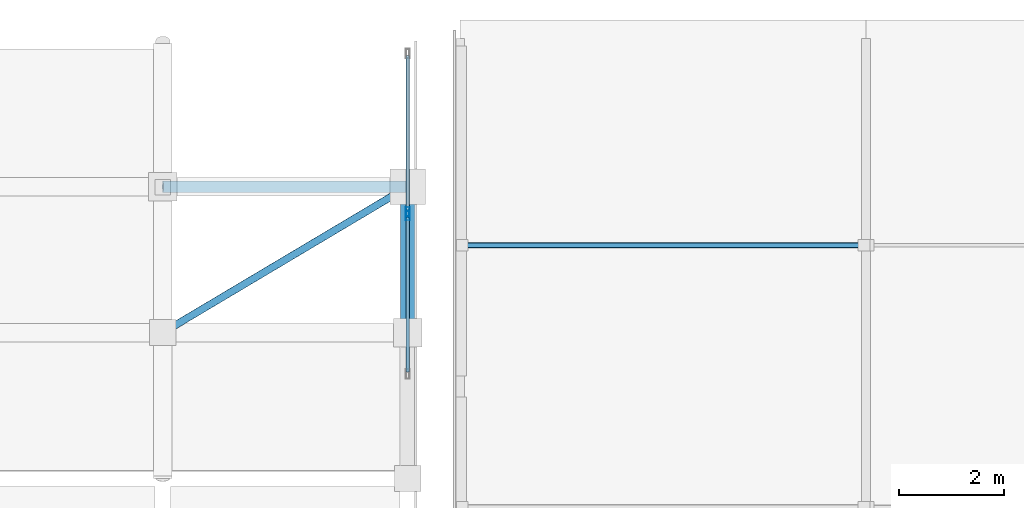
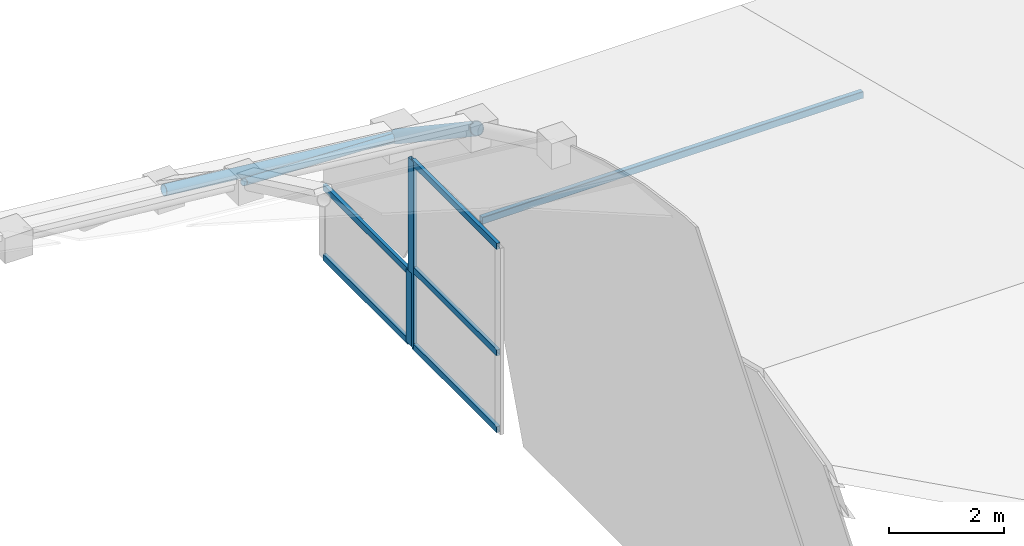
# One storey, part 33 of 65: 10 members, 1 beam, 2 elements without a shape of their own.
"""IFC4 building model written with IfcOpenShell, lengths in metres."""

import ifcopenshell
import ifcopenshell.guid

model = None  # the IFC model being written
_history = None  # IfcOwnerHistory: only IFC2X3 demands one
_inside = {}  # id of a spatial element -> (the spatial element, [elements in it])
_under = {}  # id of a project, library or spatial element -> (it, [spatial elements below it])
_declared = {}  # id of a project -> (the project, [libraries it declares])
_typed = {}  # id of a type object -> (the type object, [elements of that type])
_made_of = {}  # id of a material, layer set ... -> (it, [elements and type objects made of it])


def new_model(schema):
    """Start an empty IFC model of exactly this schema.

    Asked for "IFC4X3", IfcOpenShell would pick the latest addendum, in which some entities
    have other attributes; the version numbers below select the first issue.
    IFC2X3 requires an IfcOwnerHistory on every rooted entity: one is made here for all.
    """
    global model, _history
    if schema == "IFC4X3":
        model = ifcopenshell.file(schema_version=(4, 3, 0, 0))
    else:
        model = ifcopenshell.file(schema=schema)
    _inside.clear()
    _under.clear()
    _declared.clear()
    _typed.clear()
    _made_of.clear()
    _history = None
    if model.schema == "IFC2X3":
        org = make("IfcOrganization", Name="unknown")
        user = make(
            "IfcPersonAndOrganization",
            ThePerson=make("IfcPerson", FamilyName="unknown"),
            TheOrganization=org,
        )
        app = make(
            "IfcApplication",
            ApplicationDeveloper=org,
            Version="unknown",
            ApplicationFullName="unknown",
            ApplicationIdentifier="unknown",
        )
        _history = make(
            "IfcOwnerHistory",
            OwningUser=user,
            OwningApplication=app,
            ChangeAction="ADDED",
            CreationDate=0,
        )
    return model


def make(cls, **values):
    """One entity of the class cls with the attributes given. An attribute that is None is left unset."""
    return model.create_entity(
        cls, **{name: value for name, value in values.items() if value is not None}
    )


def rooted(cls, **values):
    """An entity with a GlobalId (a new one), such as an element, a storey or a relation."""
    return make(cls, GlobalId=ifcopenshell.guid.new(), OwnerHistory=_history, **values)


def si_unit(unit_type, name, prefix=None):
    """IfcSIUnit, for example si_unit("LENGTHUNIT", "METRE", prefix="MILLI")."""
    return make("IfcSIUnit", UnitType=unit_type, Prefix=prefix, Name=name)


def assignment(units):
    """IfcUnitAssignment: the units of a project."""
    return None if units is None else make("IfcUnitAssignment", Units=units)


def point(xyz):
    """IfcCartesianPoint."""
    return None if xyz is None else make("IfcCartesianPoint", Coordinates=xyz)


def direction(xyz):
    """IfcDirection."""
    return None if xyz is None else make("IfcDirection", DirectionRatios=xyz)


def frame(location, z_axis=None, x_axis=None):
    """IfcAxis2Placement3D, a coordinate frame: its origin and axes. An axis left out is left unset."""
    return make(
        "IfcAxis2Placement3D",
        Location=point(location),
        Axis=direction(z_axis),
        RefDirection=direction(x_axis),
    )


def frame_2d(location, x_axis=None):
    """IfcAxis2Placement2D, a coordinate frame in the plane: its origin and x axis."""
    return make(
        "IfcAxis2Placement2D", Location=point(location), RefDirection=direction(x_axis)
    )


def origin():
    """The frame at (0, 0, 0) with its axes left unset."""
    return frame((0.0, 0.0, 0.0))


def origin_2d():
    """The frame at (0, 0) in the plane with its x axis left unset."""
    return frame_2d((0.0, 0.0))


def place(relative_to, where):
    """IfcLocalPlacement: puts the frame where relative to a parent placement (None: the world)."""
    return make(
        "IfcLocalPlacement", PlacementRelTo=relative_to, RelativePlacement=where
    )


def context(
    kind, dimensions, precision=None, world=None, true_north=None, identifier=None
):
    """IfcGeometricRepresentationContext, for example the 3D "Model" context."""
    return make(
        "IfcGeometricRepresentationContext",
        ContextIdentifier=identifier,
        ContextType=kind,
        CoordinateSpaceDimension=dimensions,
        Precision=precision,
        WorldCoordinateSystem=world,
        TrueNorth=true_north,
    )


def subcontext(parent, identifier, kind, view, scale=None):
    """IfcGeometricRepresentationSubContext, for example "Body" below "Model"."""
    return make(
        "IfcGeometricRepresentationSubContext",
        ContextIdentifier=identifier,
        ContextType=kind,
        ParentContext=parent,
        TargetScale=scale,
        TargetView=view,
    )


def project(units=None, contexts=None):
    """IfcProject with its units and contexts."""
    return rooted(
        "IfcProject",
        Name="project",
        RepresentationContexts=contexts,
        UnitsInContext=assignment(units),
    )


def spatial(cls, under=None, at=None, **own):
    """A site, building, storey or space (cls), placed at a placement, below another one or the project."""
    s = rooted(cls, ObjectPlacement=at, **own)
    if under is not None:
        _under.setdefault(under.id(), (under, []))[1].append(s)
    return s


def profile(cls, at=None, kind="AREA", **sizes):
    """A parametric profile (cls). Its sizes go by their IFC names, for example OverallWidth=200.0."""
    return make(cls, ProfileType=kind, Position=at, **sizes)


def hollow_rectangle(**sizes):
    """IfcRectangleHollowProfileDef."""
    return profile("IfcRectangleHollowProfileDef", **sizes)


def hollow_circle(**sizes):
    """IfcCircleHollowProfileDef."""
    return profile("IfcCircleHollowProfileDef", **sizes)


def extrude(swept, where, along, depth):
    """IfcExtrudedAreaSolid: the profile swept, set in the frame where, extruded along a direction by depth."""
    return make(
        "IfcExtrudedAreaSolid",
        SweptArea=swept,
        Position=where,
        ExtrudedDirection=direction(along),
        Depth=depth,
    )


def shape(context_of_items, identifier, shape_type, items):
    """IfcShapeRepresentation: the items that make up one representation, for example the "Body"."""
    return make(
        "IfcShapeRepresentation",
        ContextOfItems=context_of_items,
        RepresentationIdentifier=identifier,
        RepresentationType=shape_type,
        Items=items,
    )


def material(Name=None, Category=None):
    """IfcMaterial."""
    return make("IfcMaterial", Name=Name, Category=Category)


def layer(
    of_material, thickness, ventilated=None, Name=None, Category=None, Priority=None
):
    """IfcMaterialLayer: one layer of a wall or slab, of a material (None: an air gap)."""
    return make(
        "IfcMaterialLayer",
        Material=of_material,
        LayerThickness=thickness,
        IsVentilated=ventilated,
        Name=Name,
        Category=Category,
        Priority=Priority,
    )


def layer_set(layers, Name=None):
    """IfcMaterialLayerSet."""
    return make("IfcMaterialLayerSet", MaterialLayers=layers, LayerSetName=Name)


def material_profile(
    of_material, cross_section, Name=None, Category=None, Priority=None
):
    """IfcMaterialProfile: a cross section and its material."""
    return make(
        "IfcMaterialProfile",
        Name=Name,
        Material=of_material,
        Profile=cross_section,
        Priority=Priority,
        Category=Category,
    )


def profile_set(profiles, Name=None, composite=None):
    """IfcMaterialProfileSet."""
    return make(
        "IfcMaterialProfileSet",
        Name=Name,
        MaterialProfiles=profiles,
        CompositeProfile=composite,
    )


def made_of(thing, what):
    """Note that an element or type object is made of a material, layer set ...; save() writes the relation."""
    if what is not None:
        _made_of.setdefault(what.id(), (what, []))[1].append(thing)
    return thing


def type_object(cls, material=None, **own):
    """A type object (cls), such as IfcWallType, which elements share."""
    return made_of(rooted(cls, **own), material)


def element(
    cls,
    number,
    at=None,
    inside=None,
    cuts=None,
    type_object=None,
    material=None,
    context=None,
    identifier="Body",
    shape_type=None,
    held_by="IfcProductDefinitionShape",
    body=None,
    shapes=None,
    **own,
):
    """One element of the class cls, such as IfcWall. Its Tag is "e" and its number.

    at: its placement. inside: the storey or other place that contains it. cuts: it is an
    opening in that element (IfcRelVoidsElement). A single representation is given by context,
    identifier, shape_type and body (its items); several are given by shapes. held_by: the class
    of the entity that holds the representations. save() writes the other relations.
    """
    e = rooted(cls, Tag="e%d" % number, ObjectPlacement=at, **own)
    if body is not None:
        shapes = [shape(context, identifier, shape_type, body)]
    if shapes is not None:
        e.Representation = make(held_by, Representations=shapes)
    if inside is not None:
        _inside.setdefault(inside.id(), (inside, []))[1].append(e)
    if cuts is not None:
        rooted(
            "IfcRelVoidsElement", RelatingBuildingElement=cuts, RelatedOpeningElement=e
        )
    if type_object is not None:
        _typed.setdefault(type_object.id(), (type_object, []))[1].append(e)
    return made_of(e, material)


def aggregate(whole, parts):
    """IfcRelAggregates: a whole, such as a stair, and the parts it consists of."""
    return rooted("IfcRelAggregates", RelatingObject=whole, RelatedObjects=parts)


def save(model, path):
    """Write the relations noted so far, then the file.

    IfcRelAggregates (storeys below a building ...), IfcRelContainedInSpatialStructure (elements
    in a storey), IfcRelDefinesByType, IfcRelAssociatesMaterial and IfcRelDeclares: one each for
    every whole, place, type object, material and project.
    """
    for whole, parts in _under.values():
        aggregate(whole, parts)
    for where, things in _inside.values():
        rooted(
            "IfcRelContainedInSpatialStructure",
            RelatedElements=things,
            RelatingStructure=where,
        )
    for kind, things in _typed.values():
        rooted("IfcRelDefinesByType", RelatedObjects=things, RelatingType=kind)
    for what, things in _made_of.values():
        rooted("IfcRelAssociatesMaterial", RelatedObjects=things, RelatingMaterial=what)
    for by, libraries in _declared.values():
        rooted("IfcRelDeclares", RelatingContext=by, RelatedDefinitions=libraries)
    model.write(path)


model = new_model("IFC4")

# Units and contexts
model_context = context("Model", 3, precision=1e-05, world=origin(), true_north=direction((0.0, 1.0)))
body_context = subcontext(model_context, "Body", "Model", "MODEL_VIEW")
ifc_project = project(units=[si_unit("LENGTHUNIT", "METRE"), si_unit("AREAUNIT", "SQUARE_METRE"), si_unit("VOLUMEUNIT", "CUBIC_METRE"), si_unit("PLANEANGLEUNIT", "RADIAN"), si_unit("MASSUNIT", "GRAM", prefix="KILO")], contexts=[model_context])

# Site, building, storey
site_placement = place(None, origin())
site = spatial("IfcSite", under=ifc_project, at=site_placement, CompositionType="ELEMENT")
building_placement = place(site_placement, origin())
building = spatial("IfcBuilding", under=site, at=building_placement, Name="Quillay Park Conservatory", CompositionType="ELEMENT")
storey_placement = place(building_placement, frame((0.0, 0.0, 14.10009765625)))
storey = spatial("IfcBuildingStorey", under=building, at=storey_placement, Name="L03", CompositionType="ELEMENT", Elevation=14.10009765625)

# Curtain wall, member
ifc_material_1 = material(Name="Thermally Broken Anodised Aluminium 6063-T6", Category="aluminium")
ifc_layer = layer(ifc_material_1, 0.219970703125)
ifc_layer_set = layer_set([ifc_layer], Name="UNITISED CURTAIN WALL CONSERVATORY (Thermally Broken Anodised Aluminium 6063-T6)")
curtain_wall_type = type_object("IfcCurtainWallType", Name="UNITISED CURTAIN WALL CONSERVATORY", PredefinedType="USERDEFINED", material=ifc_layer_set)
curtain_wall_1_placement = place(storey_placement, origin())
curtain_wall_1 = element("IfcCurtainWall", 1, at=curtain_wall_1_placement, inside=storey, type_object=curtain_wall_type, Name="L03 Unitised Curtain Wall 184", ObjectType="UNITISED CURTAIN WALL", PredefinedType="USERDEFINED")
ifc_material_2 = material(Name="Thermally Broken Anodised Aluminium 6063-T6", Category="aluminium")
ifc_material_profile_1 = material_profile(ifc_material_2, hollow_rectangle(XDim=0.070068359375, YDim=0.179931640625, WallThickness=0.00390625, at=origin_2d()), Name="AL70x180x4")
ifc_profile_set_1 = profile_set([ifc_material_profile_1], Name="Thermally Broken Anodised Aluminium 6063-T6")
member_type_1 = type_object("IfcMemberType", Name="CURTAIN WALL MULLION 70 X180", PredefinedType="MULLION", material=ifc_profile_set_1)
member_1_placement = place(storey_placement, frame((114.85009765625, 110.06494140625, -3.2001953125), z_axis=(0.0, 0.0, 1.0), x_axis=(1.0, 0.0, 0.0)))
member_1 = element("IfcMember", 2, at=member_1_placement, type_object=member_type_1, Name="CW-C1 mullion 1", PredefinedType="MULLION", context=body_context, shape_type="SweptSolid", body=[
    extrude(hollow_rectangle(XDim=0.070068359375, YDim=0.179931640625, WallThickness=0.00390625, at=origin_2d()), origin(), (0.0, 0.0, 1.0), 3.958740234375),
])

curtain_wall_2_placement = place(storey_placement, origin())
curtain_wall_2 = element("IfcCurtainWall", 3, at=curtain_wall_2_placement, inside=storey, type_object=curtain_wall_type, Name="L03 Unitised Curtain Wall 186", ObjectType="UNITISED CURTAIN WALL", PredefinedType="USERDEFINED")
member_2_placement = place(storey_placement, frame((114.85009765625, 110.135009765625, -3.2001953125), z_axis=(0.0, 0.0, 1.0), x_axis=(1.0, 0.0, 0.0)))
member_2 = element("IfcMember", 4, at=member_2_placement, type_object=member_type_1, Name="CW-C1 mullion 2", PredefinedType="MULLION", context=body_context, shape_type="SweptSolid", body=[
    extrude(hollow_rectangle(XDim=0.070068359375, YDim=0.179931640625, WallThickness=0.00390625, at=origin_2d()), origin(), (0.0, 0.0, 1.0), 1.556396484375),
])

# Member
ifc_material_3 = material(Name="Thermally Broken Anodised Aluminium 6063-T6", Category="aluminium")
ifc_material_profile_2 = material_profile(ifc_material_3, hollow_rectangle(XDim=0.070068359375, YDim=0.1298828125, WallThickness=0.003173828125, at=origin_2d()), Name="AL70x130x3.2")
ifc_profile_set_2 = profile_set([ifc_material_profile_2], Name="Thermally Broken Anodised Aluminium 6063-T6")
member_type_2 = type_object("IfcMemberType", Name="CURTAIN WALL TRANSOM 70 X130", PredefinedType="USERDEFINED", material=ifc_profile_set_2)
member_3_placement = place(storey_placement, frame((114.85009765625, 110.030029296875, -3.1650390625), z_axis=(0.0, -1.0, 0.0), x_axis=(1.0, 0.0, 0.0)))
member_3 = element("IfcMember", 5, at=member_3_placement, type_object=member_type_2, Name="CW-C1 transom 1.1", ObjectType="TRANSOM", PredefinedType="USERDEFINED", context=body_context, shape_type="SweptSolid", body=[
    extrude(hollow_rectangle(XDim=0.070068359375, YDim=0.1298828125, WallThickness=0.003173828125, at=origin_2d()), origin(), (0.0, 0.0, 1.0), 2.955078125),
])

member_4_placement = place(storey_placement, frame((114.85009765625, 110.030029296875, -1.53759765625), z_axis=(0.0, -1.0, 0.0), x_axis=(1.0, 0.0, 0.0)))
member_4 = element("IfcMember", 6, at=member_4_placement, type_object=member_type_2, Name="CW-C1 transom 1.2", ObjectType="TRANSOM", PredefinedType="USERDEFINED", context=body_context, shape_type="SweptSolid", body=[
    extrude(hollow_rectangle(XDim=0.070068359375, YDim=0.1298828125, WallThickness=0.003173828125, at=origin_2d()), origin(), (0.0, 0.0, 1.0), 2.955078125),
])

member_5_placement = place(storey_placement, frame((114.85009765625, 110.030029296875, 0.723388671875), z_axis=(0.0, -1.0, 0.0), x_axis=(1.0, 0.0, 0.0)))
member_5 = element("IfcMember", 7, at=member_5_placement, type_object=member_type_2, Name="CW-C1 transom 1.3", ObjectType="TRANSOM", PredefinedType="USERDEFINED", context=body_context, shape_type="SweptSolid", body=[
    extrude(hollow_rectangle(XDim=0.070068359375, YDim=0.1298828125, WallThickness=0.003173828125, at=origin_2d()), origin(), (0.0, 0.0, 1.0), 2.955078125),
])

aggregate(curtain_wall_1, [member_1, member_3, member_4, member_5])

member_6_placement = place(storey_placement, frame((114.85009765625, 113.125, -3.1650390625), z_axis=(0.0, -1.0, 0.0), x_axis=(1.0, 0.0, 0.0)))
member_6 = element("IfcMember", 8, at=member_6_placement, type_object=member_type_2, Name="CW-C1 transom 1.1", ObjectType="TRANSOM", PredefinedType="USERDEFINED", context=body_context, shape_type="SweptSolid", body=[
    extrude(hollow_rectangle(XDim=0.070068359375, YDim=0.1298828125, WallThickness=0.003173828125, at=origin_2d()), origin(), (0.0, 0.0, 1.0), 2.955078125),
])

member_7_placement = place(storey_placement, frame((114.85009765625, 113.125, -1.678955078125), z_axis=(0.0, -1.0, 0.0), x_axis=(1.0, 0.0, 0.0)))
member_7 = element("IfcMember", 9, at=member_7_placement, type_object=member_type_2, Name="CW-C1 transom 1.2", ObjectType="TRANSOM", PredefinedType="USERDEFINED", context=body_context, shape_type="SweptSolid", body=[
    extrude(hollow_rectangle(XDim=0.070068359375, YDim=0.1298828125, WallThickness=0.003173828125, at=origin_2d()), origin(), (0.0, 0.0, 1.0), 2.955078125),
])

aggregate(curtain_wall_2, [member_2, member_6, member_7])

# Beam
ifc_material_4 = material(Name="Steel S355J2H", Category="steel")
ifc_material_profile_3 = material_profile(ifc_material_4, hollow_circle(Radius=0.136474609375, WallThickness=0.012451171875, at=origin_2d()), Name="CHS273x12.5")
ifc_profile_set_3 = profile_set([ifc_material_profile_3], Name="Steel S355J2H")
beam_type = type_object("IfcBeamType", Name="GRIDSHELL ARCH BEAM CHS273", PredefinedType="USERDEFINED", material=ifc_profile_set_3)
beam_placement = place(storey_placement, frame((114.85009765625, 107.830078125, 2.765869140625), z_axis=(0.0, 0.831668729476, -0.555272117445), x_axis=(-1.0, 0.0, 0.0)))
element("IfcBeam", 10, at=beam_placement, inside=storey, type_object=beam_type, Name="Gridshell member GS-ARCH-18-08", ObjectType="GRIDSHELL ARCH BEAM", PredefinedType="USERDEFINED", context=body_context, shape_type="SweptSolid", body=[
    extrude(hollow_circle(Radius=0.136474609375, WallThickness=0.012451171875, at=origin_2d()), origin(), (0.0, 0.0, 1.0), 3.3486328125),
])

# Members
ifc_material_5 = material(Name="Steel S355J2H", Category="steel")
ifc_material_profile_4 = material_profile(ifc_material_5, hollow_circle(Radius=0.109619140625, WallThickness=0.010009765625, at=origin_2d()), Name="CHS219.1x10")
ifc_profile_set_4 = profile_set([ifc_material_profile_4], Name="Steel S355J2H")
member_type_3 = type_object("IfcMemberType", Name="GRIDSHELL ARCH RIB CHS219", PredefinedType="USERDEFINED", material=ifc_profile_set_4)
member_8_placement = place(storey_placement, frame((110.172119140625, 110.614990234375, 1.402587890625), z_axis=(0.994423821707, 0.0, -0.105457398137), x_axis=(0.0, 1.0, 0.0)))
element("IfcMember", 11, at=member_8_placement, inside=storey, type_object=member_type_3, Name="Gridshell member GS-RIB-17-09", ObjectType="GRIDSHELL ARCH RIB", PredefinedType="USERDEFINED", context=body_context, shape_type="SweptSolid", body=[
    extrude(hollow_circle(Radius=0.109619140625, WallThickness=0.010009765625, at=origin_2d()), origin(), (0.0, 0.0, 1.0), 4.7041015625),
])
ifc_material_6 = material(Name="Steel S355J2H", Category="steel")
ifc_material_profile_5 = material_profile(ifc_material_6, hollow_circle(Radius=0.06982421875, WallThickness=0.00634765625, at=origin_2d()), Name="CHS139.7x6.3")
ifc_profile_set_5 = profile_set([ifc_material_profile_5], Name="Steel S355J2H")
member_type_4 = type_object("IfcMemberType", Name="GRIDSHELL DIAGRID BRACE CHS140", PredefinedType="BRACE", material=ifc_profile_set_5)
member_9_placement = place(storey_placement, frame((110.172119140625, 107.830078125, 3.261962890625), z_axis=(0.788613697725, 0.469480530763, -0.397084961936), x_axis=(-0.511538257491, 0.85926050248, 0.0)))
element("IfcMember", 12, at=member_9_placement, inside=storey, type_object=member_type_4, Name="Gridshell member GS-DIAG-17-08", PredefinedType="BRACE", context=body_context, shape_type="SweptSolid", body=[
    extrude(hollow_circle(Radius=0.06982421875, WallThickness=0.00634765625, at=origin_2d()), origin(), (0.0, 0.0, 1.0), 5.931884765625),
])
ifc_material_7 = material(Name="Steel S355J2H", Category="steel")
ifc_material_profile_6 = material_profile(ifc_material_7, hollow_rectangle(XDim=0.10009765625, YDim=0.14990234375, WallThickness=0.00634765625, InnerFilletRadius=0.00634765625, OuterFilletRadius=0.011962890625, at=origin_2d()), Name="RHS150x100x6.3")
ifc_profile_set_6 = profile_set([ifc_material_profile_6], Name="Steel S355J2H")
member_type_5 = type_object("IfcMemberType", Name="ROOF GLAZING PURLIN RHS150", PredefinedType="PURLIN", material=ifc_profile_set_6)
member_10_placement = place(storey_placement, frame((115.89990234375, 109.5, -0.553466796875), z_axis=(1.0, 0.0, 0.0), x_axis=(0.0, 1.0, 0.0)))
element("IfcMember", 13, at=member_10_placement, inside=storey, type_object=member_type_5, Name="Gridshell member AUD-PUR-1-109", PredefinedType="PURLIN", context=body_context, shape_type="SweptSolid", body=[
    extrude(hollow_rectangle(XDim=0.10009765625, YDim=0.14990234375, WallThickness=0.00634765625, InnerFilletRadius=0.00634765625, OuterFilletRadius=0.011962890625, at=origin_2d()), origin(), (0.0, 0.0, 1.0), 7.650146484375),
])

save(model, "model.ifc")
